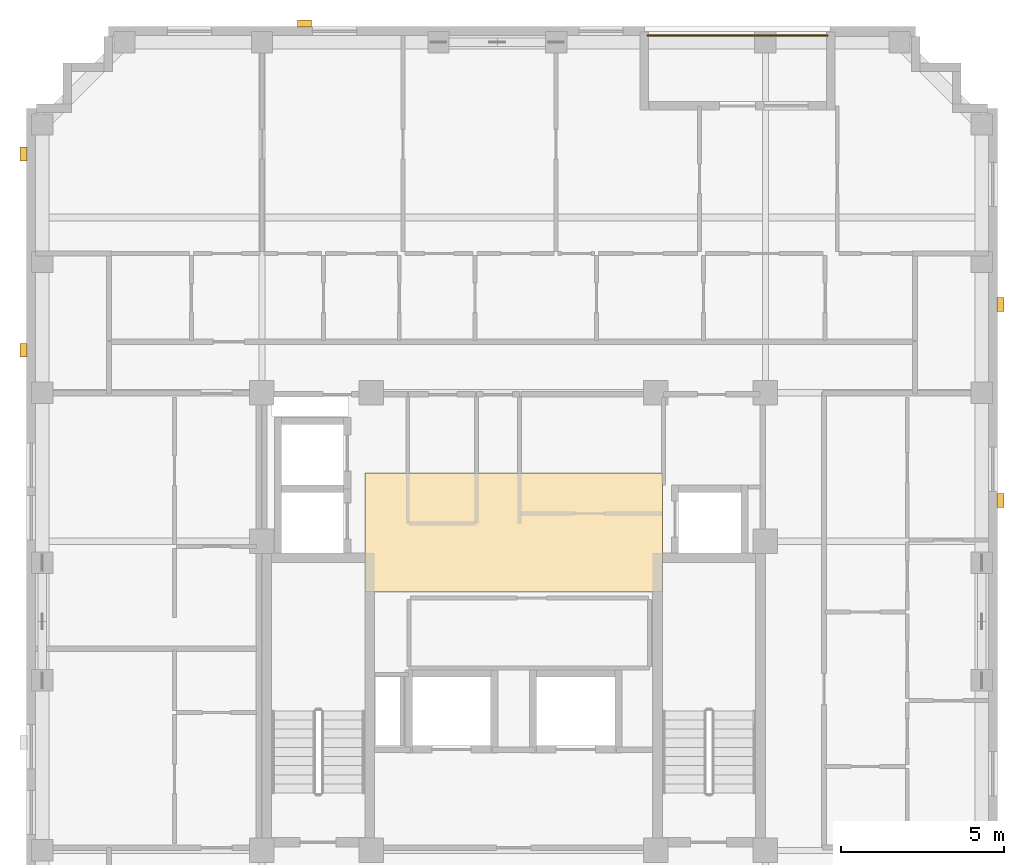
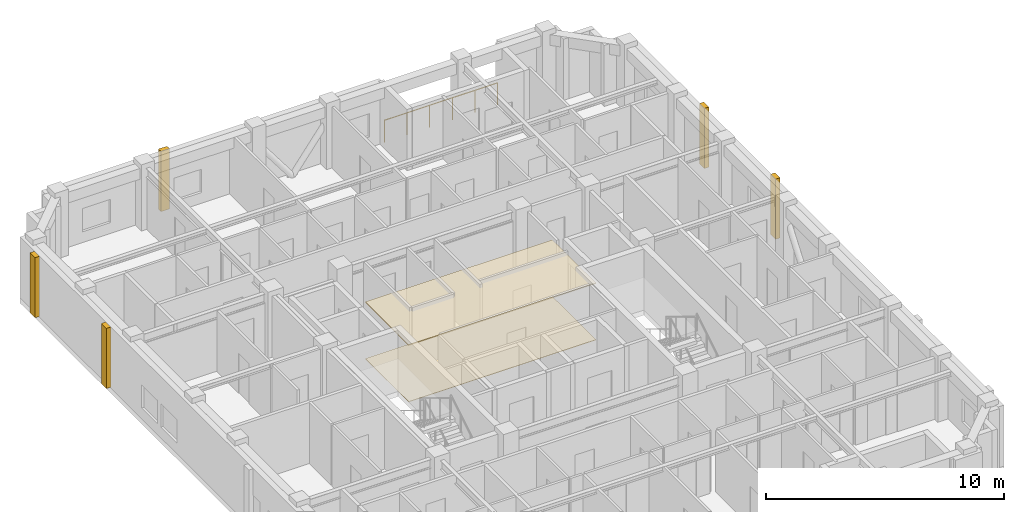
# One storey, part 11 of 11: 7 coverings, 1 railing.
"""IFC4 building model written with IfcOpenShell, lengths in metres."""

from ifc_helpers import new_model, si_unit, derived_unit, direction, frame, origin, origin_2d, place, context, subcontext, project, spatial, polyline, rectangle, circle, outline, extrude, material, layer, layer_set, type_object, element, save


model = new_model("IFC4")

# Units and contexts
model_context = context("Model", 3, precision=1e-05, world=origin(), true_north=direction((0.0, 1.0)))
body_context = subcontext(model_context, "Body", "Model", "MODEL_VIEW")
ifc_project = project(units=[si_unit("LENGTHUNIT", "METRE"), si_unit("AREAUNIT", "SQUARE_METRE"), si_unit("VOLUMEUNIT", "CUBIC_METRE"), si_unit("PLANEANGLEUNIT", "RADIAN"), si_unit("MASSUNIT", "GRAM", prefix="KILO"), derived_unit("THERMALTRANSMITTANCEUNIT", [(si_unit("MASSUNIT", "GRAM", prefix="KILO"), 1), (si_unit("TIMEUNIT", "SECOND"), -3), (si_unit("THERMODYNAMICTEMPERATUREUNIT", "KELVIN"), -1)])], contexts=[model_context])

# Site, building, storey
site_placement = place(None, origin())
site = spatial("IfcSite", under=ifc_project, at=site_placement, CompositionType="ELEMENT")
building_placement = place(site_placement, origin())
building = spatial("IfcBuilding", under=site, at=building_placement, Name="Korrvale Station Residences", CompositionType="ELEMENT")
storey_placement = place(building_placement, frame((0.0, 0.0, 244.5)))
storey = spatial("IfcBuildingStorey", under=building, at=storey_placement, Name="L71", CompositionType="ELEMENT", Elevation=244.5)

# Coverings
ifc_material_1 = material(Name="Perforated acoustic mineral-fibre suspended ceiling", Category="gypsum")
ifc_layer_1 = layer(ifc_material_1, 0.050048828125, Name="Perforated acoustic mineral-fibre suspended ceiling")
ifc_layer_set_1 = layer_set([ifc_layer_1], Name="Perforated acoustic mineral-fibre suspended ceiling")
covering_type_1 = type_object("IfcCoveringType", Name="COV-CLG-AC60", PredefinedType="CEILING", material=ifc_layer_set_1)
covering_1_placement = place(storey_placement, frame((0.0, 0.0, 2.889892578125)))
element("IfcCovering", 1, at=covering_1_placement, inside=storey, type_object=covering_type_1, Name="L71 Elevator Lobby Acoustic Ceiling", PredefinedType="CEILING", context=body_context, shape_type="SweptSolid", body=[
    extrude(outline(polyline([(20.949951171875, 22.89990234375), (30.050048828125, 22.89990234375), (30.050048828125, 26.550048828125), (20.949951171875, 26.550048828125), (20.949951171875, 22.89990234375)])), origin(), (0.0, 0.0, 1.0), 0.050048828125),
])
ifc_material_2 = material(Name="Polished quartz-terrazzo lobby flooring", Category="masonry")
ifc_layer_2 = layer(ifc_material_2, 0.02001953125, Name="Polished quartz-terrazzo lobby flooring")
ifc_layer_set_2 = layer_set([ifc_layer_2], Name="Polished quartz-terrazzo lobby flooring")
covering_type_2 = type_object("IfcCoveringType", Name="COV-FLR-TER20", PredefinedType="FLOORING", material=ifc_layer_set_2)
covering_2_placement = place(storey_placement, origin())
element("IfcCovering", 2, at=covering_2_placement, inside=storey, type_object=covering_type_2, Name="L71 Elevator Lobby Terrazzo Flooring", PredefinedType="FLOORING", context=body_context, shape_type="SweptSolid", body=[
    extrude(outline(polyline([(20.949951171875, 22.89990234375), (30.050048828125, 22.89990234375), (30.050048828125, 26.550048828125), (20.949951171875, 26.550048828125), (20.949951171875, 22.89990234375)])), origin(), (0.0, 0.0, 1.0), 0.02001953125),
])
ifc_material_3 = material(Name="Architectural precast concrete C45/55", Category="concrete")
ifc_layer_3 = layer(ifc_material_3, 0.219970703125, Name="Architectural precast concrete C45/55")
ifc_layer_set_3 = layer_set([ifc_layer_3], Name="Architectural precast concrete C45/55")
covering_type_3 = type_object("IfcCoveringType", Name="COV-PIER-400", PredefinedType="CLADDING", material=ifc_layer_set_3)
for number, where, z_axis, x_axis, name in (
    (3, (19.10009765625, 40.2900390625, 0.02490234375), (0.0, 0.0, 1.0), (1.0, 0.0, 0.0), "L71 Architectural Precast Facade Pier 01"),
    (4, (10.510009765625, 30.300048828125, 0.02490234375), (0.0, 0.0, 1.0), (0.0, 1.0, 0.0), "L71 Architectural Precast Facade Pier 04"),
    (5, (10.510009765625, 36.300048828125, 0.02490234375), (0.0, 0.0, 1.0), (0.0, 1.0, 0.0), "L71 Architectural Precast Facade Pier 05"),
    (6, (40.389892578125, 31.699951171875, 0.02490234375), (0.0, 0.0, 1.0), (0.0, 1.0, 0.0), "L71 Architectural Precast Facade Pier 06"),
    (7, (40.389892578125, 25.699951171875, 0.02490234375), (0.0, 0.0, 1.0), (0.0, 1.0, 0.0), "L71 Architectural Precast Facade Pier 07"),
):
    element("IfcCovering", number, at=place(storey_placement, frame(where, z_axis=z_axis, x_axis=x_axis)), inside=storey, type_object=covering_type_3, Name=name, PredefinedType="CLADDING", context=body_context, shape_type="SweptSolid", body=[
        extrude(rectangle(XDim=0.419921875, YDim=0.219970703125, at=origin_2d()), origin(), (0.0, 0.0, 1.0), 3.090087890625),
    ])

# Railing
ifc_material_4 = material(Name="Powder-coated aluminium picket loggia guard", Category="aluminium")
railing_type = type_object("IfcRailingType", Name="RLG-BAL-1150", PredefinedType="GUARDRAIL", material=ifc_material_4)
railing_placement = place(storey_placement, frame((29.60009765625, 39.929931640625, 0.0)))
element("IfcRailing", 8, at=railing_placement, inside=storey, type_object=railing_type, Name="L71 Recessed Loggia Guardrail BAL-L71-N1", PredefinedType="GUARDRAIL", context=body_context, shape_type="SweptSolid", body=[
    extrude(circle(Radius=0.02392578125, at=origin_2d()), frame((0.0, 0.0, 1.1259765625), z_axis=(1.0, 0.0, 0.0), x_axis=(0.0, 1.0, 0.0)), (0.0, 0.0, 1.0), 5.5),
    extrude(circle(Radius=0.02099609375, at=origin_2d()), origin(), (0.0, 0.0, 1.0), 1.101806640625),
    extrude(circle(Radius=0.02099609375, at=origin_2d()), frame((1.10009765625, 0.0, 0.0)), (0.0, 0.0, 1.0), 1.101806640625),
    extrude(circle(Radius=0.02099609375, at=origin_2d()), frame((2.199951171875, 0.0, 0.0)), (0.0, 0.0, 1.0), 1.101806640625),
    extrude(circle(Radius=0.02099609375, at=origin_2d()), frame((3.300048828125, 0.0, 0.0)), (0.0, 0.0, 1.0), 1.101806640625),
    extrude(circle(Radius=0.02099609375, at=origin_2d()), frame((4.39990234375, 0.0, 0.0)), (0.0, 0.0, 1.0), 1.101806640625),
    extrude(circle(Radius=0.02099609375, at=origin_2d()), frame((5.5, 0.0, 0.0)), (0.0, 0.0, 1.0), 1.101806640625),
])

save(model, "model.ifc")
